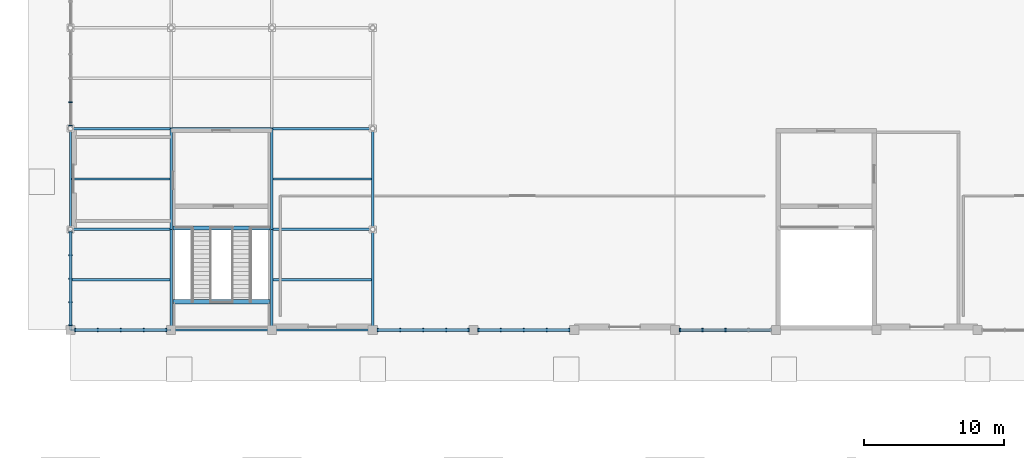
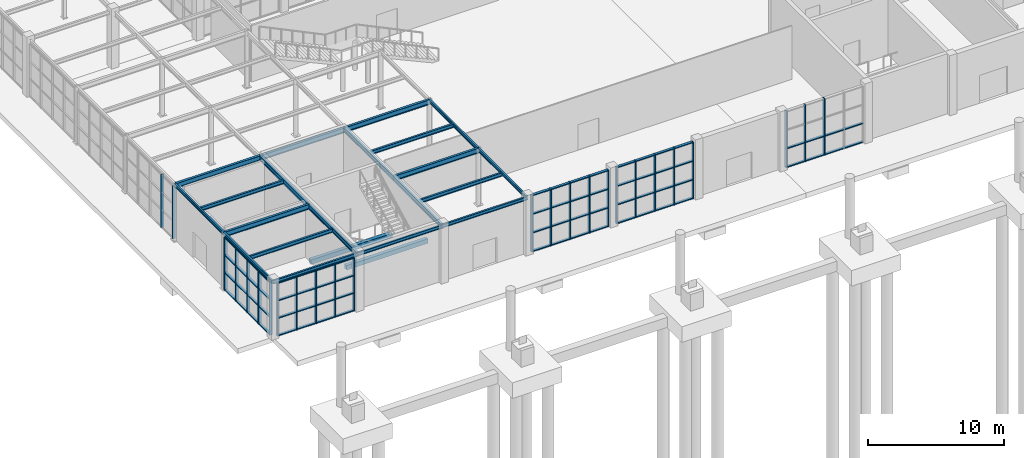
# One storey, part 20 of 75: 43 members, 22 beams, 6 elements without a shape of their own.
"""IFC4 building model written with IfcOpenShell, lengths in metres."""

from ifc_helpers import new_model, si_unit, direction, frame, origin, origin_2d, place, context, subcontext, project, spatial, rectangle, i_section, extrude, material, material_profile, profile_set, type_object, element, aggregate, save


model = new_model("IFC4")

# Units and contexts
model_context = context("Model", 3, precision=1e-05, world=origin(), true_north=direction((0.0, 1.0)))
body_context = subcontext(model_context, "Body", "Model", "MODEL_VIEW")
ifc_project = project(units=[si_unit("LENGTHUNIT", "METRE"), si_unit("AREAUNIT", "SQUARE_METRE"), si_unit("VOLUMEUNIT", "CUBIC_METRE"), si_unit("PLANEANGLEUNIT", "RADIAN"), si_unit("MASSUNIT", "GRAM", prefix="KILO")], contexts=[model_context])

# Site, building, storey
site_placement = place(None, origin())
site = spatial("IfcSite", under=ifc_project, at=site_placement, CompositionType="ELEMENT")
building_placement = place(site_placement, origin())
building = spatial("IfcBuilding", under=site, at=building_placement, Name="Leyfeld Transit Interchange", CompositionType="ELEMENT")
storey_placement = place(building_placement, origin())
storey = spatial("IfcBuildingStorey", under=building, at=storey_placement, Name="L00", CompositionType="ELEMENT", Elevation=0.0)

# Beams
ifc_material_1 = material(Name="Concrete C35/45", Category="concrete")
ifc_material_profile_1 = material_profile(ifc_material_1, rectangle(XDim=0.300048828125, YDim=0.39990234375, at=origin_2d()), Name="RC 400x300")
ifc_profile_set_1 = profile_set([ifc_material_profile_1], Name="Concrete C35/45")
beam_type_1 = type_object("IfcBeamType", Name="BM-RC-400x300", PredefinedType="LINTEL", material=ifc_profile_set_1)
for number, where, z_axis, x_axis, name in (
    (1, (7.340087890625, 21.699951171875, -0.199951171875), (1.0, 0.0, 0.0), (0.0, 1.0, 0.0), "Core K6 Floor Landing Corbel L00"),
    (2, (7.340087890625, 16.429931640625, 2.5), (1.0, 0.0, 0.0), (0.0, 1.0, 0.0), "Stair ST-06 L00 Half-Landing Corbel"),
):
    element("IfcBeam", number, at=place(storey_placement, frame(where, z_axis=z_axis, x_axis=x_axis)), inside=storey, type_object=beam_type_1, Name=name, PredefinedType="LINTEL", context=body_context, shape_type="SweptSolid", body=[
        extrude(rectangle(XDim=0.300048828125, YDim=0.39990234375, at=origin_2d()), origin(), (0.0, 0.0, 1.0), 6.919921875),
    ])
ifc_material_2 = material(Name="Steel S355J2", Category="steel")
ifc_material_profile_2 = material_profile(ifc_material_2, i_section(OverallWidth=0.14990234375, OverallDepth=0.300048828125, WebThickness=0.007080078125, FlangeThickness=0.0107421875, FilletRadius=0.014892578125, at=origin_2d()), Name="IPE 300")
ifc_profile_set_2 = profile_set([ifc_material_profile_2], Name="Steel S355J2")
beam_type_2 = type_object("IfcBeamType", Name="BM-STL-IPE300", PredefinedType="SPANDREL", material=ifc_profile_set_2)
beam_1_placement = place(storey_placement, frame((0.0, 14.39990234375, 4.949951171875), z_axis=(0.0, 1.0, 0.0), x_axis=(-1.0, 0.0, 0.0)))
element("IfcBeam", 3, at=beam_1_placement, inside=storey, type_object=beam_type_2, Name="Beam BM-L00-0000_0144-0000_0216", PredefinedType="SPANDREL", context=body_context, shape_type="SweptSolid", body=[
    extrude(i_section(OverallWidth=0.14990234375, OverallDepth=0.300048828125, WebThickness=0.007080078125, FlangeThickness=0.0107421875, FilletRadius=0.014892578125, at=origin_2d()), origin(), (0.0, 0.0, 1.0), 7.2001953125),
])
beam_2_placement = place(storey_placement, frame((0.0, 21.60009765625, 4.949951171875), z_axis=(0.0, 1.0, 0.0), x_axis=(-1.0, 0.0, 0.0)))
element("IfcBeam", 4, at=beam_2_placement, inside=storey, type_object=beam_type_2, Name="Beam BM-L00-0000_0216-0000_0288", PredefinedType="SPANDREL", context=body_context, shape_type="SweptSolid", body=[
    extrude(i_section(OverallWidth=0.14990234375, OverallDepth=0.300048828125, WebThickness=0.007080078125, FlangeThickness=0.0107421875, FilletRadius=0.014892578125, at=origin_2d()), origin(), (0.0, 0.0, 1.0), 7.199951171875),
])
beam_3_placement = place(storey_placement, frame((21.60009765625, 14.39990234375, 4.949951171875), z_axis=(0.0, 1.0, 0.0), x_axis=(-1.0, 0.0, 0.0)))
element("IfcBeam", 5, at=beam_3_placement, inside=storey, type_object=beam_type_2, Name="Beam BM-L00-0216_0144-0216_0216", PredefinedType="SPANDREL", context=body_context, shape_type="SweptSolid", body=[
    extrude(i_section(OverallWidth=0.14990234375, OverallDepth=0.300048828125, WebThickness=0.007080078125, FlangeThickness=0.0107421875, FilletRadius=0.014892578125, at=origin_2d()), origin(), (0.0, 0.0, 1.0), 7.2001953125),
])
for number, where, z_axis, x_axis, name in (
    (6, (21.60009765625, 21.60009765625, 4.949951171875), (0.0, 1.0, 0.0), (-1.0, 0.0, 0.0), "Beam BM-L00-0216_0216-0216_0288"),
    (7, (0.0, 14.39990234375, 4.949951171875), (1.0, 0.0, 0.0), (0.0, 1.0, 0.0), "Beam BM-L00-0000_0144-0072_0144"),
    (8, (7.199951171875, 14.39990234375, 4.949951171875), (1.0, 0.0, 0.0), (0.0, 1.0, 0.0), "Beam BM-L00-0072_0144-0144_0144"),
):
    element("IfcBeam", number, at=place(storey_placement, frame(where, z_axis=z_axis, x_axis=x_axis)), inside=storey, type_object=beam_type_2, Name=name, PredefinedType="SPANDREL", context=body_context, shape_type="SweptSolid", body=[
        extrude(i_section(OverallWidth=0.14990234375, OverallDepth=0.300048828125, WebThickness=0.007080078125, FlangeThickness=0.0107421875, FilletRadius=0.014892578125, at=origin_2d()), origin(), (0.0, 0.0, 1.0), 7.199951171875),
    ])
beam_4_placement = place(storey_placement, frame((14.39990234375, 14.39990234375, 4.949951171875), z_axis=(1.0, 0.0, 0.0), x_axis=(0.0, 1.0, 0.0)))
element("IfcBeam", 9, at=beam_4_placement, inside=storey, type_object=beam_type_2, Name="Beam BM-L00-0144_0144-0216_0144", PredefinedType="SPANDREL", context=body_context, shape_type="SweptSolid", body=[
    extrude(i_section(OverallWidth=0.14990234375, OverallDepth=0.300048828125, WebThickness=0.007080078125, FlangeThickness=0.0107421875, FilletRadius=0.014892578125, at=origin_2d()), origin(), (0.0, 0.0, 1.0), 7.2001953125),
])
ifc_material_profile_3 = material_profile(ifc_material_2, i_section(OverallWidth=0.159912109375, OverallDepth=0.330078125, WebThickness=0.007568359375, FlangeThickness=0.011474609375, FilletRadius=0.01806640625, at=origin_2d()), Name="IPE 330")
ifc_profile_set_3 = profile_set([ifc_material_profile_3], Name="Steel S355J2")
beam_type_3 = type_object("IfcBeamType", Name="BM-STL-IPE330", PredefinedType="BEAM", material=ifc_profile_set_3)
for number, where, z_axis, x_axis, name in (
    (10, (0.072021484375, 18.0, 4.93505859375), (1.0, 0.0, 0.0), (0.0, 1.0, 0.0), "Beam BM-L00-0001_0180-0071_0180"),
    (11, (14.487060546875, 18.0, 4.93505859375), (1.0, 0.0, 0.0), (0.0, 1.0, 0.0), "Beam BM-L00-0145_0180-0215_0180"),
    (12, (0.072021484375, 25.199951171875, 4.93505859375), (1.0, 0.0, 0.0), (0.0, 1.0, 0.0), "Beam BM-L00-0001_0252-0071_0252"),
    (13, (14.487060546875, 25.199951171875, 4.93505859375), (1.0, 0.0, 0.0), (0.0, 1.0, 0.0), "Beam BM-L00-0145_0252-0215_0252"),
):
    element("IfcBeam", number, at=place(storey_placement, frame(where, z_axis=z_axis, x_axis=x_axis)), inside=storey, type_object=beam_type_3, Name=name, PredefinedType="BEAM", context=body_context, shape_type="SweptSolid", body=[
        extrude(i_section(OverallWidth=0.159912109375, OverallDepth=0.330078125, WebThickness=0.007568359375, FlangeThickness=0.011474609375, FilletRadius=0.01806640625, at=origin_2d()), origin(), (0.0, 0.0, 1.0), 7.041015625),
    ])
ifc_material_profile_4 = material_profile(ifc_material_2, i_section(OverallWidth=0.179931640625, OverallDepth=0.39990234375, WebThickness=0.008544921875, FlangeThickness=0.013427734375, FilletRadius=0.02099609375, at=origin_2d()), Name="IPE 400")
ifc_profile_set_4 = profile_set([ifc_material_profile_4], Name="Steel S355J2")
beam_type_4 = type_object("IfcBeamType", Name="BM-STL-IPE400", PredefinedType="BEAM", material=ifc_profile_set_4)
beam_5_placement = place(storey_placement, frame((7.199951171875, 14.39990234375, 4.89990234375), z_axis=(0.0, 1.0, 0.0), x_axis=(-1.0, 0.0, 0.0)))
element("IfcBeam", 14, at=beam_5_placement, inside=storey, type_object=beam_type_4, Name="Beam BM-L00-0072_0144-0072_0216", PredefinedType="BEAM", context=body_context, shape_type="SweptSolid", body=[
    extrude(i_section(OverallWidth=0.179931640625, OverallDepth=0.39990234375, WebThickness=0.008544921875, FlangeThickness=0.013427734375, FilletRadius=0.02099609375, at=origin_2d()), origin(), (0.0, 0.0, 1.0), 7.2001953125),
])
beam_6_placement = place(storey_placement, frame((7.199951171875, 21.60009765625, 4.89990234375), z_axis=(0.0, 1.0, 0.0), x_axis=(-1.0, 0.0, 0.0)))
element("IfcBeam", 15, at=beam_6_placement, inside=storey, type_object=beam_type_4, Name="Beam BM-L00-0072_0216-0072_0288", PredefinedType="BEAM", context=body_context, shape_type="SweptSolid", body=[
    extrude(i_section(OverallWidth=0.179931640625, OverallDepth=0.39990234375, WebThickness=0.008544921875, FlangeThickness=0.013427734375, FilletRadius=0.02099609375, at=origin_2d()), origin(), (0.0, 0.0, 1.0), 7.199951171875),
])
beam_7_placement = place(storey_placement, frame((14.39990234375, 14.39990234375, 4.89990234375), z_axis=(0.0, 1.0, 0.0), x_axis=(-1.0, 0.0, 0.0)))
element("IfcBeam", 16, at=beam_7_placement, inside=storey, type_object=beam_type_4, Name="Beam BM-L00-0144_0144-0144_0216", PredefinedType="BEAM", context=body_context, shape_type="SweptSolid", body=[
    extrude(i_section(OverallWidth=0.179931640625, OverallDepth=0.39990234375, WebThickness=0.008544921875, FlangeThickness=0.013427734375, FilletRadius=0.02099609375, at=origin_2d()), origin(), (0.0, 0.0, 1.0), 7.2001953125),
])
beam_8_placement = place(storey_placement, frame((14.39990234375, 21.60009765625, 4.89990234375), z_axis=(0.0, 1.0, 0.0), x_axis=(-1.0, 0.0, 0.0)))
element("IfcBeam", 17, at=beam_8_placement, inside=storey, type_object=beam_type_4, Name="Beam BM-L00-0144_0216-0144_0288", PredefinedType="BEAM", context=body_context, shape_type="SweptSolid", body=[
    extrude(i_section(OverallWidth=0.179931640625, OverallDepth=0.39990234375, WebThickness=0.008544921875, FlangeThickness=0.013427734375, FilletRadius=0.02099609375, at=origin_2d()), origin(), (0.0, 0.0, 1.0), 7.199951171875),
])
ifc_material_profile_5 = material_profile(ifc_material_2, i_section(OverallWidth=0.18994140625, OverallDepth=0.449951171875, WebThickness=0.009521484375, FlangeThickness=0.0146484375, FilletRadius=0.02099609375, at=origin_2d()), Name="IPE 450")
ifc_profile_set_5 = profile_set([ifc_material_profile_5], Name="Steel S355J2")
beam_type_5 = type_object("IfcBeamType", Name="BM-STL-IPE450", PredefinedType="BEAM", material=ifc_profile_set_5)
beam_9_placement = place(storey_placement, frame((0.0, 21.60009765625, 4.875), z_axis=(1.0, 0.0, 0.0), x_axis=(0.0, 1.0, 0.0)))
element("IfcBeam", 18, at=beam_9_placement, inside=storey, type_object=beam_type_5, Name="Beam BM-L00-0000_0216-0072_0216", PredefinedType="BEAM", context=body_context, shape_type="SweptSolid", body=[
    extrude(i_section(OverallWidth=0.18994140625, OverallDepth=0.449951171875, WebThickness=0.009521484375, FlangeThickness=0.0146484375, FilletRadius=0.02099609375, at=origin_2d()), origin(), (0.0, 0.0, 1.0), 7.199951171875),
])
beam_10_placement = place(storey_placement, frame((14.39990234375, 21.60009765625, 4.875), z_axis=(1.0, 0.0, 0.0), x_axis=(0.0, 1.0, 0.0)))
element("IfcBeam", 19, at=beam_10_placement, inside=storey, type_object=beam_type_5, Name="Beam BM-L00-0144_0216-0216_0216", PredefinedType="BEAM", context=body_context, shape_type="SweptSolid", body=[
    extrude(i_section(OverallWidth=0.18994140625, OverallDepth=0.449951171875, WebThickness=0.009521484375, FlangeThickness=0.0146484375, FilletRadius=0.02099609375, at=origin_2d()), origin(), (0.0, 0.0, 1.0), 7.2001953125),
])
for number, where, z_axis, x_axis, name in (
    (20, (0.0, 28.800048828125, 4.875), (1.0, 0.0, 0.0), (0.0, 1.0, 0.0), "Beam BM-L00-0000_0288-0072_0288"),
    (21, (7.199951171875, 28.800048828125, 4.875), (1.0, 0.0, 0.0), (0.0, 1.0, 0.0), "Beam BM-L00-0072_0288-0144_0288"),
):
    element("IfcBeam", number, at=place(storey_placement, frame(where, z_axis=z_axis, x_axis=x_axis)), inside=storey, type_object=beam_type_5, Name=name, PredefinedType="BEAM", context=body_context, shape_type="SweptSolid", body=[
        extrude(i_section(OverallWidth=0.18994140625, OverallDepth=0.449951171875, WebThickness=0.009521484375, FlangeThickness=0.0146484375, FilletRadius=0.02099609375, at=origin_2d()), origin(), (0.0, 0.0, 1.0), 7.199951171875),
    ])
beam_11_placement = place(storey_placement, frame((14.39990234375, 28.800048828125, 4.875), z_axis=(1.0, 0.0, 0.0), x_axis=(0.0, 1.0, 0.0)))
element("IfcBeam", 22, at=beam_11_placement, inside=storey, type_object=beam_type_5, Name="Beam BM-L00-0144_0288-0216_0288", PredefinedType="BEAM", context=body_context, shape_type="SweptSolid", body=[
    extrude(i_section(OverallWidth=0.18994140625, OverallDepth=0.449951171875, WebThickness=0.009521484375, FlangeThickness=0.0146484375, FilletRadius=0.02099609375, at=origin_2d()), origin(), (0.0, 0.0, 1.0), 7.2001953125),
])

# Curtain wall, members
ifc_material_3 = material(Name="Anodised aluminium EN AW-6060 T66", Category="aluminium")
curtain_wall_type = type_object("IfcCurtainWallType", Name="CW-SYS-ARC-7200", PredefinedType="NOTDEFINED", material=ifc_material_3)
curtain_wall_1_placement = place(storey_placement, origin())
curtain_wall_1 = element("IfcCurtainWall", 23, at=curtain_wall_1_placement, inside=storey, type_object=curtain_wall_type, Name="Curtain Wall CW-L00-001", PredefinedType="NOTDEFINED")
ifc_material_profile_6 = material_profile(ifc_material_3, rectangle(XDim=0.0849609375, YDim=0.260009765625, at=origin_2d()), Name="CW-M 85x260")
ifc_profile_set_6 = profile_set([ifc_material_profile_6], Name="Anodised aluminium EN AW-6060 T66")
member_type_1 = type_object("IfcMemberType", Name="CW-MUL-220x80", PredefinedType="MULLION", material=ifc_profile_set_6)
member_1_placement = place(storey_placement, frame((0.0, 14.757568359375, 0.0), z_axis=(0.0, 0.0, 1.0), x_axis=(0.0, 1.0, 0.0)))
member_1 = element("IfcMember", 24, at=member_1_placement, type_object=member_type_1, Name="Curtain Mullion CW-L00-001-M01", PredefinedType="MULLION", context=body_context, shape_type="SweptSolid", body=[
    extrude(rectangle(XDim=0.0849609375, YDim=0.260009765625, at=origin_2d()), origin(), (0.0, 0.0, 1.0), 4.77001953125),
])
member_2_placement = place(storey_placement, frame((0.0, 16.394287109375, 0.0), z_axis=(0.0, 0.0, 1.0), x_axis=(0.0, 1.0, 0.0)))
member_2 = element("IfcMember", 25, at=member_2_placement, type_object=member_type_1, Name="Curtain Mullion CW-L00-001-M02", PredefinedType="MULLION", context=body_context, shape_type="SweptSolid", body=[
    extrude(rectangle(XDim=0.0849609375, YDim=0.260009765625, at=origin_2d()), origin(), (0.0, 0.0, 1.0), 4.77001953125),
])
member_3_placement = place(storey_placement, frame((0.0, 18.073486328125, 0.0), z_axis=(0.0, 0.0, 1.0), x_axis=(0.0, 1.0, 0.0)))
member_3 = element("IfcMember", 26, at=member_3_placement, type_object=member_type_1, Name="Curtain Mullion CW-L00-001-M03", PredefinedType="MULLION", context=body_context, shape_type="SweptSolid", body=[
    extrude(rectangle(XDim=0.0849609375, YDim=0.260009765625, at=origin_2d()), origin(), (0.0, 0.0, 1.0), 4.77001953125),
])
member_4_placement = place(storey_placement, frame((0.0, 19.7529296875, 0.0), z_axis=(0.0, 0.0, 1.0), x_axis=(0.0, 1.0, 0.0)))
member_4 = element("IfcMember", 27, at=member_4_placement, type_object=member_type_1, Name="Curtain Mullion CW-L00-001-M04", PredefinedType="MULLION", context=body_context, shape_type="SweptSolid", body=[
    extrude(rectangle(XDim=0.0849609375, YDim=0.260009765625, at=origin_2d()), origin(), (0.0, 0.0, 1.0), 4.77001953125),
])
member_5_placement = place(storey_placement, frame((0.0, 21.3896484375, 0.0), z_axis=(0.0, 0.0, 1.0), x_axis=(0.0, 1.0, 0.0)))
member_5 = element("IfcMember", 28, at=member_5_placement, type_object=member_type_1, Name="Curtain Mullion CW-L00-001-M05", PredefinedType="MULLION", context=body_context, shape_type="SweptSolid", body=[
    extrude(rectangle(XDim=0.0849609375, YDim=0.260009765625, at=origin_2d()), origin(), (0.0, 0.0, 1.0), 4.77001953125),
])

curtain_wall_2_placement = place(storey_placement, origin())
curtain_wall_2 = element("IfcCurtainWall", 29, at=curtain_wall_2_placement, inside=storey, type_object=curtain_wall_type, Name="Curtain Wall CW-L00-003", PredefinedType="NOTDEFINED")
member_6_placement = place(storey_placement, frame((0.0, 29.01025390625, 0.0), z_axis=(0.0, 0.0, 1.0), x_axis=(0.0, 1.0, 0.0)))
member_6 = element("IfcMember", 30, at=member_6_placement, type_object=member_type_1, Name="Curtain Mullion CW-L00-003-M01", PredefinedType="MULLION", context=body_context, shape_type="SweptSolid", body=[
    extrude(rectangle(XDim=0.0849609375, YDim=0.260009765625, at=origin_2d()), origin(), (0.0, 0.0, 1.0), 4.77001953125),
])
member_7_placement = place(storey_placement, frame((0.0, 30.683837890625, 0.0), z_axis=(0.0, 0.0, 1.0), x_axis=(0.0, 1.0, 0.0)))
member_7 = element("IfcMember", 31, at=member_7_placement, type_object=member_type_1, Name="Curtain Mullion CW-L00-003-M02", PredefinedType="MULLION", context=body_context, shape_type="SweptSolid", body=[
    extrude(rectangle(XDim=0.0849609375, YDim=0.260009765625, at=origin_2d()), origin(), (0.0, 0.0, 1.0), 4.77001953125),
])
aggregate(curtain_wall_2, [member_6, member_7])

curtain_wall_3_placement = place(storey_placement, origin())
curtain_wall_3 = element("IfcCurtainWall", 32, at=curtain_wall_3_placement, inside=storey, type_object=curtain_wall_type, Name="Curtain Wall CW-L00-036", PredefinedType="NOTDEFINED")
member_8_placement = place(storey_placement, frame((46.800048828125, 14.39990234375, 0.0), z_axis=(0.0, 0.0, 1.0), x_axis=(-1.0, 0.0, 0.0)))
member_8 = element("IfcMember", 33, at=member_8_placement, type_object=member_type_1, Name="Curtain Mullion CW-L00-036-M03", PredefinedType="MULLION", context=body_context, shape_type="SweptSolid", body=[
    extrude(rectangle(XDim=0.0849609375, YDim=0.260009765625, at=origin_2d()), origin(), (0.0, 0.0, 1.0), 5.10009765625),
])
member_9_placement = place(storey_placement, frame((45.157470703125, 14.39990234375, 0.0), z_axis=(0.0, 0.0, 1.0), x_axis=(-1.0, 0.0, 0.0)))
member_9 = element("IfcMember", 34, at=member_9_placement, type_object=member_type_1, Name="Curtain Mullion CW-L00-036-M04", PredefinedType="MULLION", context=body_context, shape_type="SweptSolid", body=[
    extrude(rectangle(XDim=0.0849609375, YDim=0.260009765625, at=origin_2d()), origin(), (0.0, 0.0, 1.0), 5.10009765625),
])
member_10_placement = place(storey_placement, frame((43.5576171875, 14.39990234375, 0.0), z_axis=(0.0, 0.0, 1.0), x_axis=(-1.0, 0.0, 0.0)))
member_10 = element("IfcMember", 35, at=member_10_placement, type_object=member_type_1, Name="Curtain Mullion CW-L00-036-M05", PredefinedType="MULLION", context=body_context, shape_type="SweptSolid", body=[
    extrude(rectangle(XDim=0.0849609375, YDim=0.260009765625, at=origin_2d()), origin(), (0.0, 0.0, 1.0), 5.10009765625),
])

curtain_wall_4_placement = place(storey_placement, origin())
curtain_wall_4 = element("IfcCurtainWall", 36, at=curtain_wall_4_placement, inside=storey, type_object=curtain_wall_type, Name="Curtain Wall CW-L00-037", PredefinedType="NOTDEFINED")
member_11_placement = place(storey_placement, frame((35.642578125, 14.39990234375, 0.0), z_axis=(0.0, 0.0, 1.0), x_axis=(-1.0, 0.0, 0.0)))
member_11 = element("IfcMember", 37, at=member_11_placement, type_object=member_type_1, Name="Curtain Mullion CW-L00-037-M01", PredefinedType="MULLION", context=body_context, shape_type="SweptSolid", body=[
    extrude(rectangle(XDim=0.0849609375, YDim=0.260009765625, at=origin_2d()), origin(), (0.0, 0.0, 1.0), 5.10009765625),
])
member_12_placement = place(storey_placement, frame((34.04248046875, 14.39990234375, 0.0), z_axis=(0.0, 0.0, 1.0), x_axis=(-1.0, 0.0, 0.0)))
member_12 = element("IfcMember", 38, at=member_12_placement, type_object=member_type_1, Name="Curtain Mullion CW-L00-037-M02", PredefinedType="MULLION", context=body_context, shape_type="SweptSolid", body=[
    extrude(rectangle(XDim=0.0849609375, YDim=0.260009765625, at=origin_2d()), origin(), (0.0, 0.0, 1.0), 5.10009765625),
])
member_13_placement = place(storey_placement, frame((32.39990234375, 14.39990234375, 0.0), z_axis=(0.0, 0.0, 1.0), x_axis=(-1.0, 0.0, 0.0)))
member_13 = element("IfcMember", 39, at=member_13_placement, type_object=member_type_1, Name="Curtain Mullion CW-L00-037-M03", PredefinedType="MULLION", context=body_context, shape_type="SweptSolid", body=[
    extrude(rectangle(XDim=0.0849609375, YDim=0.260009765625, at=origin_2d()), origin(), (0.0, 0.0, 1.0), 5.10009765625),
])
member_14_placement = place(storey_placement, frame((30.757568359375, 14.39990234375, 0.0), z_axis=(0.0, 0.0, 1.0), x_axis=(-1.0, 0.0, 0.0)))
member_14 = element("IfcMember", 40, at=member_14_placement, type_object=member_type_1, Name="Curtain Mullion CW-L00-037-M04", PredefinedType="MULLION", context=body_context, shape_type="SweptSolid", body=[
    extrude(rectangle(XDim=0.0849609375, YDim=0.260009765625, at=origin_2d()), origin(), (0.0, 0.0, 1.0), 5.10009765625),
])
member_15_placement = place(storey_placement, frame((29.157470703125, 14.39990234375, 0.0), z_axis=(0.0, 0.0, 1.0), x_axis=(-1.0, 0.0, 0.0)))
member_15 = element("IfcMember", 41, at=member_15_placement, type_object=member_type_1, Name="Curtain Mullion CW-L00-037-M05", PredefinedType="MULLION", context=body_context, shape_type="SweptSolid", body=[
    extrude(rectangle(XDim=0.0849609375, YDim=0.260009765625, at=origin_2d()), origin(), (0.0, 0.0, 1.0), 5.10009765625),
])

curtain_wall_5_placement = place(storey_placement, origin())
curtain_wall_5 = element("IfcCurtainWall", 42, at=curtain_wall_5_placement, inside=storey, type_object=curtain_wall_type, Name="Curtain Wall CW-L00-038", PredefinedType="NOTDEFINED")
member_16_placement = place(storey_placement, frame((28.4423828125, 14.39990234375, 0.0), z_axis=(0.0, 0.0, 1.0), x_axis=(-1.0, 0.0, 0.0)))
member_16 = element("IfcMember", 43, at=member_16_placement, type_object=member_type_1, Name="Curtain Mullion CW-L00-038-M01", PredefinedType="MULLION", context=body_context, shape_type="SweptSolid", body=[
    extrude(rectangle(XDim=0.0849609375, YDim=0.260009765625, at=origin_2d()), origin(), (0.0, 0.0, 1.0), 5.10009765625),
])
member_17_placement = place(storey_placement, frame((26.842529296875, 14.39990234375, 0.0), z_axis=(0.0, 0.0, 1.0), x_axis=(-1.0, 0.0, 0.0)))
member_17 = element("IfcMember", 44, at=member_17_placement, type_object=member_type_1, Name="Curtain Mullion CW-L00-038-M02", PredefinedType="MULLION", context=body_context, shape_type="SweptSolid", body=[
    extrude(rectangle(XDim=0.0849609375, YDim=0.260009765625, at=origin_2d()), origin(), (0.0, 0.0, 1.0), 5.10009765625),
])
member_18_placement = place(storey_placement, frame((25.199951171875, 14.39990234375, 0.0), z_axis=(0.0, 0.0, 1.0), x_axis=(-1.0, 0.0, 0.0)))
member_18 = element("IfcMember", 45, at=member_18_placement, type_object=member_type_1, Name="Curtain Mullion CW-L00-038-M03", PredefinedType="MULLION", context=body_context, shape_type="SweptSolid", body=[
    extrude(rectangle(XDim=0.0849609375, YDim=0.260009765625, at=origin_2d()), origin(), (0.0, 0.0, 1.0), 5.10009765625),
])
member_19_placement = place(storey_placement, frame((23.5576171875, 14.39990234375, 0.0), z_axis=(0.0, 0.0, 1.0), x_axis=(-1.0, 0.0, 0.0)))
member_19 = element("IfcMember", 46, at=member_19_placement, type_object=member_type_1, Name="Curtain Mullion CW-L00-038-M04", PredefinedType="MULLION", context=body_context, shape_type="SweptSolid", body=[
    extrude(rectangle(XDim=0.0849609375, YDim=0.260009765625, at=origin_2d()), origin(), (0.0, 0.0, 1.0), 5.10009765625),
])
member_20_placement = place(storey_placement, frame((21.95751953125, 14.39990234375, 0.0), z_axis=(0.0, 0.0, 1.0), x_axis=(-1.0, 0.0, 0.0)))
member_20 = element("IfcMember", 47, at=member_20_placement, type_object=member_type_1, Name="Curtain Mullion CW-L00-038-M05", PredefinedType="MULLION", context=body_context, shape_type="SweptSolid", body=[
    extrude(rectangle(XDim=0.0849609375, YDim=0.260009765625, at=origin_2d()), origin(), (0.0, 0.0, 1.0), 5.10009765625),
])

curtain_wall_6_placement = place(storey_placement, origin())
curtain_wall_6 = element("IfcCurtainWall", 48, at=curtain_wall_6_placement, inside=storey, type_object=curtain_wall_type, Name="Curtain Wall CW-L00-039", PredefinedType="NOTDEFINED")
member_21_placement = place(storey_placement, frame((6.842529296875, 14.39990234375, 0.0), z_axis=(0.0, 0.0, 1.0), x_axis=(-1.0, 0.0, 0.0)))
member_21 = element("IfcMember", 49, at=member_21_placement, type_object=member_type_1, Name="Curtain Mullion CW-L00-039-M01", PredefinedType="MULLION", context=body_context, shape_type="SweptSolid", body=[
    extrude(rectangle(XDim=0.0849609375, YDim=0.260009765625, at=origin_2d()), origin(), (0.0, 0.0, 1.0), 4.800048828125),
])
member_22_placement = place(storey_placement, frame((5.242431640625, 14.39990234375, 0.0), z_axis=(0.0, 0.0, 1.0), x_axis=(-1.0, 0.0, 0.0)))
member_22 = element("IfcMember", 50, at=member_22_placement, type_object=member_type_1, Name="Curtain Mullion CW-L00-039-M02", PredefinedType="MULLION", context=body_context, shape_type="SweptSolid", body=[
    extrude(rectangle(XDim=0.0849609375, YDim=0.260009765625, at=origin_2d()), origin(), (0.0, 0.0, 1.0), 4.800048828125),
])
member_23_placement = place(storey_placement, frame((3.60009765625, 14.39990234375, 0.0), z_axis=(0.0, 0.0, 1.0), x_axis=(-1.0, 0.0, 0.0)))
member_23 = element("IfcMember", 51, at=member_23_placement, type_object=member_type_1, Name="Curtain Mullion CW-L00-039-M03", PredefinedType="MULLION", context=body_context, shape_type="SweptSolid", body=[
    extrude(rectangle(XDim=0.0849609375, YDim=0.260009765625, at=origin_2d()), origin(), (0.0, 0.0, 1.0), 4.800048828125),
])
member_24_placement = place(storey_placement, frame((1.95751953125, 14.39990234375, 0.0), z_axis=(0.0, 0.0, 1.0), x_axis=(-1.0, 0.0, 0.0)))
member_24 = element("IfcMember", 52, at=member_24_placement, type_object=member_type_1, Name="Curtain Mullion CW-L00-039-M04", PredefinedType="MULLION", context=body_context, shape_type="SweptSolid", body=[
    extrude(rectangle(XDim=0.0849609375, YDim=0.260009765625, at=origin_2d()), origin(), (0.0, 0.0, 1.0), 4.800048828125),
])
member_25_placement = place(storey_placement, frame((0.357421875, 14.39990234375, 0.0), z_axis=(0.0, 0.0, 1.0), x_axis=(-1.0, 0.0, 0.0)))
member_25 = element("IfcMember", 53, at=member_25_placement, type_object=member_type_1, Name="Curtain Mullion CW-L00-039-M05", PredefinedType="MULLION", context=body_context, shape_type="SweptSolid", body=[
    extrude(rectangle(XDim=0.0849609375, YDim=0.260009765625, at=origin_2d()), origin(), (0.0, 0.0, 1.0), 4.800048828125),
])

# Member
ifc_material_profile_7 = material_profile(ifc_material_3, rectangle(XDim=0.2099609375, YDim=0.0849609375, at=origin_2d()), Name="CW-TRN-200x80")
ifc_profile_set_7 = profile_set([ifc_material_profile_7], Name="Anodised aluminium EN AW-6060 T66")
member_type_2 = type_object("IfcMemberType", Name="CW-TRN-200x80", PredefinedType="USERDEFINED", material=ifc_profile_set_7)
member_26_placement = place(storey_placement, frame((0.0, 14.715087890625, 0.04248046875), z_axis=(0.0, 1.0, 0.0), x_axis=(-1.0, 0.0, 0.0)))
member_26 = element("IfcMember", 54, at=member_26_placement, type_object=member_type_2, Name="Curtain Transom CW-L00-001-T01", ObjectType="TRANSOM", PredefinedType="USERDEFINED", context=body_context, shape_type="SweptSolid", body=[
    extrude(rectangle(XDim=0.2099609375, YDim=0.0849609375, at=origin_2d()), origin(), (0.0, 0.0, 1.0), 6.717041015625),
])

member_27_placement = place(storey_placement, frame((0.0, 14.715087890625, 1.604248046875), z_axis=(0.0, 1.0, 0.0), x_axis=(-1.0, 0.0, 0.0)))
member_27 = element("IfcMember", 55, at=member_27_placement, type_object=member_type_2, Name="Curtain Transom CW-L00-001-T02", ObjectType="TRANSOM", PredefinedType="USERDEFINED", context=body_context, shape_type="SweptSolid", body=[
    extrude(rectangle(XDim=0.2099609375, YDim=0.0849609375, at=origin_2d()), origin(), (0.0, 0.0, 1.0), 6.717041015625),
])

member_28_placement = place(storey_placement, frame((0.0, 14.715087890625, 3.165771484375), z_axis=(0.0, 1.0, 0.0), x_axis=(-1.0, 0.0, 0.0)))
member_28 = element("IfcMember", 56, at=member_28_placement, type_object=member_type_2, Name="Curtain Transom CW-L00-001-T03", ObjectType="TRANSOM", PredefinedType="USERDEFINED", context=body_context, shape_type="SweptSolid", body=[
    extrude(rectangle(XDim=0.2099609375, YDim=0.0849609375, at=origin_2d()), origin(), (0.0, 0.0, 1.0), 6.717041015625),
])

member_29_placement = place(storey_placement, frame((0.0, 14.715087890625, 4.7275390625), z_axis=(0.0, 1.0, 0.0), x_axis=(-1.0, 0.0, 0.0)))
member_29 = element("IfcMember", 57, at=member_29_placement, type_object=member_type_2, Name="Curtain Transom CW-L00-001-T04", ObjectType="TRANSOM", PredefinedType="USERDEFINED", context=body_context, shape_type="SweptSolid", body=[
    extrude(rectangle(XDim=0.2099609375, YDim=0.0849609375, at=origin_2d()), origin(), (0.0, 0.0, 1.0), 6.717041015625),
])

aggregate(curtain_wall_1, [member_1, member_2, member_3, member_4, member_5, member_26, member_27, member_28, member_29])

member_30_placement = place(storey_placement, frame((50.0849609375, 14.39990234375, 0.04248046875), z_axis=(-1.0, 0.0, 0.0), x_axis=(0.0, -1.0, 0.0)))
member_30 = element("IfcMember", 58, at=member_30_placement, type_object=member_type_2, Name="Curtain Transom CW-L00-036-T01", ObjectType="TRANSOM", PredefinedType="USERDEFINED", context=body_context, shape_type="SweptSolid", body=[
    extrude(rectangle(XDim=0.2099609375, YDim=0.0849609375, at=origin_2d()), origin(), (0.0, 0.0, 1.0), 6.570068359375),
])

member_31_placement = place(storey_placement, frame((50.0849609375, 14.39990234375, 1.714111328125), z_axis=(-1.0, 0.0, 0.0), x_axis=(0.0, -1.0, 0.0)))
member_31 = element("IfcMember", 59, at=member_31_placement, type_object=member_type_2, Name="Curtain Transom CW-L00-036-T02", ObjectType="TRANSOM", PredefinedType="USERDEFINED", context=body_context, shape_type="SweptSolid", body=[
    extrude(rectangle(XDim=0.2099609375, YDim=0.0849609375, at=origin_2d()), origin(), (0.0, 0.0, 1.0), 6.570068359375),
])

aggregate(curtain_wall_3, [member_8, member_9, member_10, member_30, member_31])

member_32_placement = place(storey_placement, frame((35.68505859375, 14.39990234375, 0.04248046875), z_axis=(-1.0, 0.0, 0.0), x_axis=(0.0, -1.0, 0.0)))
member_32 = element("IfcMember", 60, at=member_32_placement, type_object=member_type_2, Name="Curtain Transom CW-L00-037-T01", ObjectType="TRANSOM", PredefinedType="USERDEFINED", context=body_context, shape_type="SweptSolid", body=[
    extrude(rectangle(XDim=0.2099609375, YDim=0.0849609375, at=origin_2d()), origin(), (0.0, 0.0, 1.0), 6.570068359375),
])

member_33_placement = place(storey_placement, frame((35.68505859375, 14.39990234375, 1.714111328125), z_axis=(-1.0, 0.0, 0.0), x_axis=(0.0, -1.0, 0.0)))
member_33 = element("IfcMember", 61, at=member_33_placement, type_object=member_type_2, Name="Curtain Transom CW-L00-037-T02", ObjectType="TRANSOM", PredefinedType="USERDEFINED", context=body_context, shape_type="SweptSolid", body=[
    extrude(rectangle(XDim=0.2099609375, YDim=0.0849609375, at=origin_2d()), origin(), (0.0, 0.0, 1.0), 6.570068359375),
])

member_34_placement = place(storey_placement, frame((35.68505859375, 14.39990234375, 3.3857421875), z_axis=(-1.0, 0.0, 0.0), x_axis=(0.0, -1.0, 0.0)))
member_34 = element("IfcMember", 62, at=member_34_placement, type_object=member_type_2, Name="Curtain Transom CW-L00-037-T03", ObjectType="TRANSOM", PredefinedType="USERDEFINED", context=body_context, shape_type="SweptSolid", body=[
    extrude(rectangle(XDim=0.2099609375, YDim=0.0849609375, at=origin_2d()), origin(), (0.0, 0.0, 1.0), 6.570068359375),
])

member_35_placement = place(storey_placement, frame((35.68505859375, 14.39990234375, 5.0576171875), z_axis=(-1.0, 0.0, 0.0), x_axis=(0.0, -1.0, 0.0)))
member_35 = element("IfcMember", 63, at=member_35_placement, type_object=member_type_2, Name="Curtain Transom CW-L00-037-T04", ObjectType="TRANSOM", PredefinedType="USERDEFINED", context=body_context, shape_type="SweptSolid", body=[
    extrude(rectangle(XDim=0.2099609375, YDim=0.0849609375, at=origin_2d()), origin(), (0.0, 0.0, 1.0), 6.570068359375),
])

aggregate(curtain_wall_4, [member_11, member_12, member_13, member_14, member_15, member_32, member_33, member_34, member_35])

member_36_placement = place(storey_placement, frame((28.485107421875, 14.39990234375, 0.04248046875), z_axis=(-1.0, 0.0, 0.0), x_axis=(0.0, -1.0, 0.0)))
member_36 = element("IfcMember", 64, at=member_36_placement, type_object=member_type_2, Name="Curtain Transom CW-L00-038-T01", ObjectType="TRANSOM", PredefinedType="USERDEFINED", context=body_context, shape_type="SweptSolid", body=[
    extrude(rectangle(XDim=0.2099609375, YDim=0.0849609375, at=origin_2d()), origin(), (0.0, 0.0, 1.0), 6.570068359375),
])

member_37_placement = place(storey_placement, frame((28.485107421875, 14.39990234375, 1.714111328125), z_axis=(-1.0, 0.0, 0.0), x_axis=(0.0, -1.0, 0.0)))
member_37 = element("IfcMember", 65, at=member_37_placement, type_object=member_type_2, Name="Curtain Transom CW-L00-038-T02", ObjectType="TRANSOM", PredefinedType="USERDEFINED", context=body_context, shape_type="SweptSolid", body=[
    extrude(rectangle(XDim=0.2099609375, YDim=0.0849609375, at=origin_2d()), origin(), (0.0, 0.0, 1.0), 6.570068359375),
])

member_38_placement = place(storey_placement, frame((28.485107421875, 14.39990234375, 3.3857421875), z_axis=(-1.0, 0.0, 0.0), x_axis=(0.0, -1.0, 0.0)))
member_38 = element("IfcMember", 66, at=member_38_placement, type_object=member_type_2, Name="Curtain Transom CW-L00-038-T03", ObjectType="TRANSOM", PredefinedType="USERDEFINED", context=body_context, shape_type="SweptSolid", body=[
    extrude(rectangle(XDim=0.2099609375, YDim=0.0849609375, at=origin_2d()), origin(), (0.0, 0.0, 1.0), 6.570068359375),
])

member_39_placement = place(storey_placement, frame((28.485107421875, 14.39990234375, 5.0576171875), z_axis=(-1.0, 0.0, 0.0), x_axis=(0.0, -1.0, 0.0)))
member_39 = element("IfcMember", 67, at=member_39_placement, type_object=member_type_2, Name="Curtain Transom CW-L00-038-T04", ObjectType="TRANSOM", PredefinedType="USERDEFINED", context=body_context, shape_type="SweptSolid", body=[
    extrude(rectangle(XDim=0.2099609375, YDim=0.0849609375, at=origin_2d()), origin(), (0.0, 0.0, 1.0), 6.570068359375),
])

aggregate(curtain_wall_5, [member_16, member_17, member_18, member_19, member_20, member_36, member_37, member_38, member_39])

member_40_placement = place(storey_placement, frame((6.885009765625, 14.39990234375, 0.04248046875), z_axis=(-1.0, 0.0, 0.0), x_axis=(0.0, -1.0, 0.0)))
member_40 = element("IfcMember", 68, at=member_40_placement, type_object=member_type_2, Name="Curtain Transom CW-L00-039-T01", ObjectType="TRANSOM", PredefinedType="USERDEFINED", context=body_context, shape_type="SweptSolid", body=[
    extrude(rectangle(XDim=0.2099609375, YDim=0.0849609375, at=origin_2d()), origin(), (0.0, 0.0, 1.0), 6.570068359375),
])

member_41_placement = place(storey_placement, frame((6.885009765625, 14.39990234375, 1.6142578125), z_axis=(-1.0, 0.0, 0.0), x_axis=(0.0, -1.0, 0.0)))
member_41 = element("IfcMember", 69, at=member_41_placement, type_object=member_type_2, Name="Curtain Transom CW-L00-039-T02", ObjectType="TRANSOM", PredefinedType="USERDEFINED", context=body_context, shape_type="SweptSolid", body=[
    extrude(rectangle(XDim=0.2099609375, YDim=0.0849609375, at=origin_2d()), origin(), (0.0, 0.0, 1.0), 6.570068359375),
])

member_42_placement = place(storey_placement, frame((6.885009765625, 14.39990234375, 3.185791015625), z_axis=(-1.0, 0.0, 0.0), x_axis=(0.0, -1.0, 0.0)))
member_42 = element("IfcMember", 70, at=member_42_placement, type_object=member_type_2, Name="Curtain Transom CW-L00-039-T03", ObjectType="TRANSOM", PredefinedType="USERDEFINED", context=body_context, shape_type="SweptSolid", body=[
    extrude(rectangle(XDim=0.2099609375, YDim=0.0849609375, at=origin_2d()), origin(), (0.0, 0.0, 1.0), 6.570068359375),
])

member_43_placement = place(storey_placement, frame((6.885009765625, 14.39990234375, 4.757568359375), z_axis=(-1.0, 0.0, 0.0), x_axis=(0.0, -1.0, 0.0)))
member_43 = element("IfcMember", 71, at=member_43_placement, type_object=member_type_2, Name="Curtain Transom CW-L00-039-T04", ObjectType="TRANSOM", PredefinedType="USERDEFINED", context=body_context, shape_type="SweptSolid", body=[
    extrude(rectangle(XDim=0.2099609375, YDim=0.0849609375, at=origin_2d()), origin(), (0.0, 0.0, 1.0), 6.570068359375),
])

aggregate(curtain_wall_6, [member_21, member_22, member_23, member_24, member_25, member_40, member_41, member_42, member_43])

save(model, "model.ifc")
